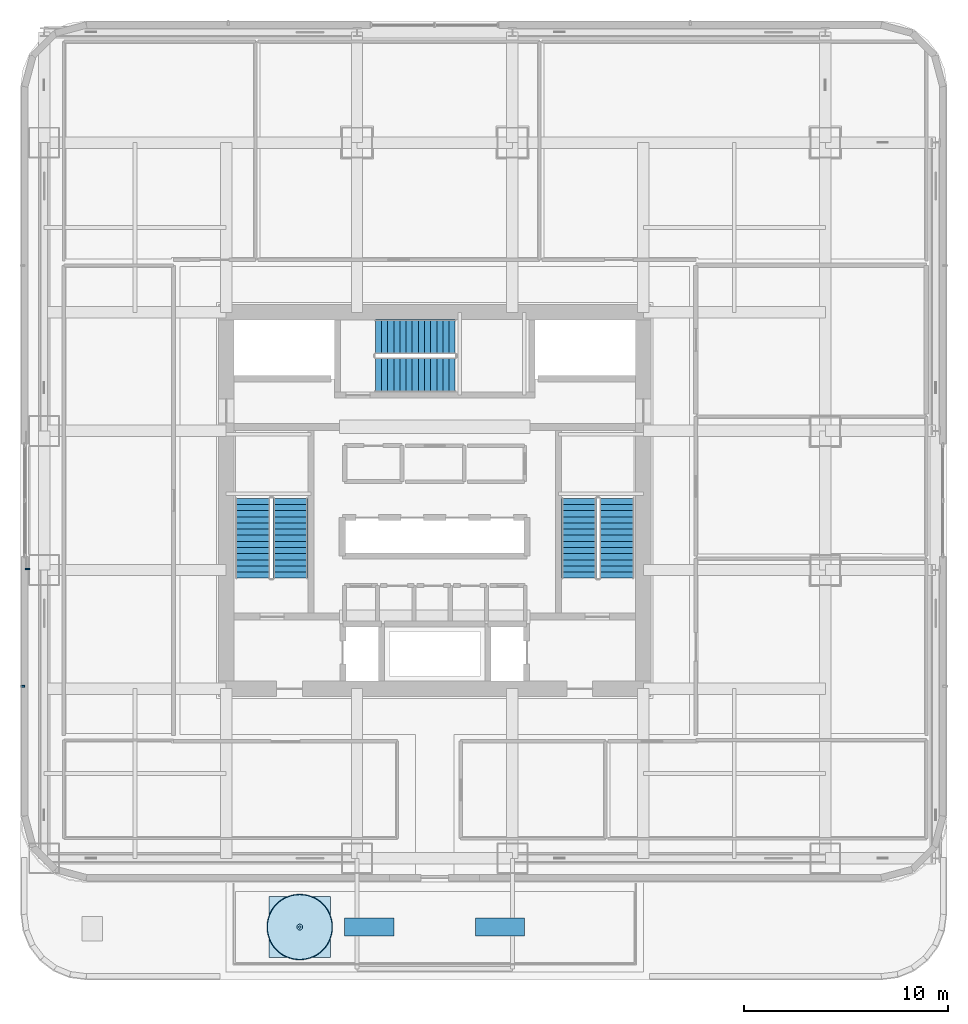
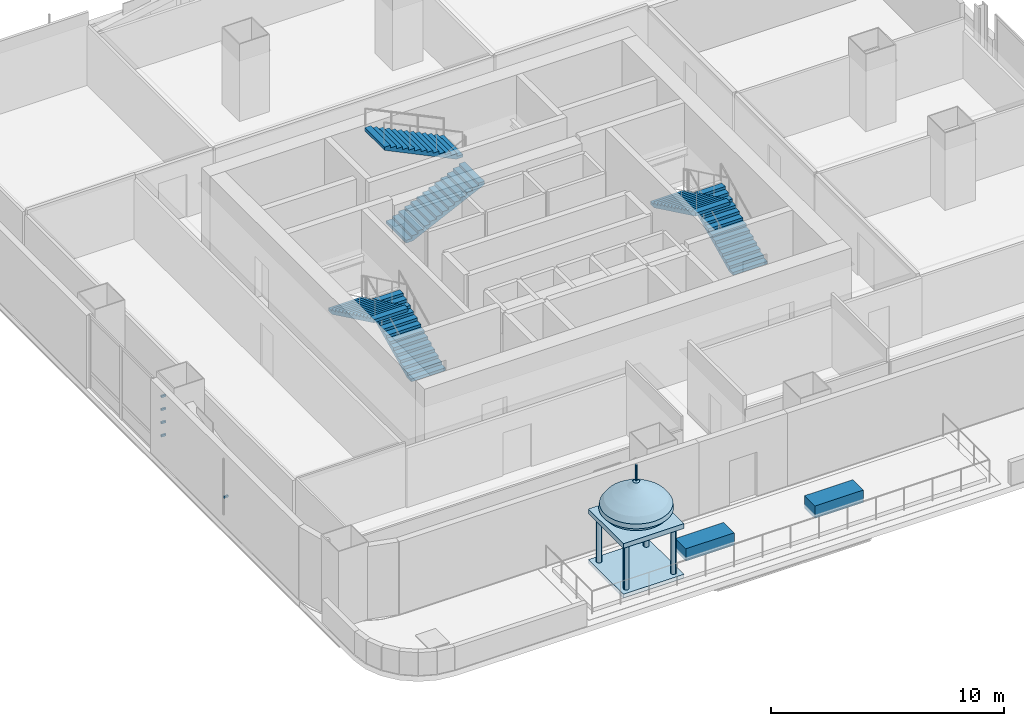
# One storey, part 14 of 28: 7 discrete accessories, 6 stair flights, 1 roof, 3 elements without a shape of their own.
"""IFC4 building model written with IfcOpenShell, lengths in metres."""

from ifc_helpers import new_model, entity, si_unit, direction, frame, origin, origin_2d, place, context, subcontext, project, spatial, polyline, rectangle, circle, outline, extrude, material, type_object, element, aggregate, save


model = new_model("IFC4")

# Units and contexts
model_context = context("Model", 3, precision=1e-05, world=origin(), true_north=direction((0.0, 1.0)))
body_context = subcontext(model_context, "Body", "Model", "MODEL_VIEW")
ifc_project = project(units=[si_unit("LENGTHUNIT", "METRE"), si_unit("AREAUNIT", "SQUARE_METRE"), si_unit("VOLUMEUNIT", "CUBIC_METRE"), si_unit("PLANEANGLEUNIT", "RADIAN"), si_unit("MASSUNIT", "GRAM", prefix="KILO")], contexts=[model_context])

# Site, building, storey
site_placement = place(None, origin())
site = spatial("IfcSite", under=ifc_project, at=site_placement, CompositionType="ELEMENT")
building_placement = place(site_placement, origin())
building = spatial("IfcBuilding", under=site, at=building_placement, Name="Punatoya Terracotta Tower", CompositionType="ELEMENT")
storey_placement = place(building_placement, frame((0.0, 0.0, 93.0)))
storey = spatial("IfcBuildingStorey", under=building, at=storey_placement, Name="L21", CompositionType="ELEMENT", Elevation=93.0)

# Stair, stair flights
ifc_material_1 = material(Name="Concrete C40/50", Category="concrete")
stair_type_1 = type_object("IfcStairType", Name="STR-CORE-1550", PredefinedType="HALF_TURN_STAIR", material=ifc_material_1)
stair_1_placement = place(storey_placement, origin())
stair_1 = element("IfcStair", 1, at=stair_1_placement, inside=storey, type_object=stair_type_1, Name="L21 Protected Core Exit Stair ST-1", PredefinedType="HALF_TURN_STAIR")
stair_flight_type_1 = type_object("IfcStairFlightType", Name="SFL-CORE-1550", PredefinedType="STRAIGHT", material=ifc_material_1)
stair_flight_1_placement = place(storey_placement, frame((-7.050048828125, -3.800048828125, 0.0), z_axis=(0.0, 0.0, 1.0), x_axis=(0.0, 1.0, 0.0)))
stair_flight_1 = element("IfcStairFlight", 2, at=stair_flight_1_placement, type_object=stair_flight_type_1, Name="ST-1 flight 1", NumberOfRisers=14, NumberOfTreads=13, PredefinedType="STRAIGHT", RiserHeight=0.144642857, TreadLength=0.3, context=body_context, shape_type="SweptSolid", body=[
    extrude(outline(polyline([(0.0, 0.0), (0.0, 0.14453125), (0.300048828125, 0.14453125), (0.300048828125, 0.289306640625), (0.60009765625, 0.289306640625), (0.60009765625, 0.433837890625), (0.89990234375, 0.433837890625), (0.89990234375, 0.57861328125), (1.199951171875, 0.57861328125), (1.199951171875, 0.72314453125), (1.5, 0.72314453125), (1.5, 0.867919921875), (1.800048828125, 0.867919921875), (1.800048828125, 1.012451171875), (2.10009765625, 1.012451171875), (2.10009765625, 1.1572265625), (2.39990234375, 1.1572265625), (2.39990234375, 1.3017578125), (2.699951171875, 1.3017578125), (2.699951171875, 1.446533203125), (3.0, 1.446533203125), (3.0, 1.591064453125), (3.300048828125, 1.591064453125), (3.300048828125, 1.735595703125), (3.60009765625, 1.735595703125), (3.60009765625, 1.88037109375), (3.89990234375, 1.88037109375), (3.89990234375, 2.02490234375), (3.89990234375, 1.7138671875), (0.34521484375, 0.0), (0.0, 0.0)])), frame((0.0, 0.85009765625, 0.0), z_axis=(0.0, -1.0, 0.0), x_axis=(1.0, 0.0, 0.0)), (0.0, 0.0, 1.0), 1.699951171875),
])
stair_flight_2_placement = place(storey_placement, frame((-8.89990234375, 0.10009765625, 2.02490234375), z_axis=(0.0, 0.0, 1.0), x_axis=(0.0, -1.0, 0.0)))
stair_flight_2 = element("IfcStairFlight", 3, at=stair_flight_2_placement, type_object=stair_flight_type_1, Name="ST-1 flight 2", NumberOfRisers=14, NumberOfTreads=13, PredefinedType="STRAIGHT", RiserHeight=0.144642857, TreadLength=0.3, context=body_context, shape_type="SweptSolid", body=[
    extrude(outline(polyline([(0.0, 0.0), (0.0, 0.14453125), (0.300048828125, 0.14453125), (0.300048828125, 0.289306640625), (0.60009765625, 0.289306640625), (0.60009765625, 0.433837890625), (0.89990234375, 0.433837890625), (0.89990234375, 0.57861328125), (1.199951171875, 0.57861328125), (1.199951171875, 0.72314453125), (1.5, 0.72314453125), (1.5, 0.867919921875), (1.800048828125, 0.867919921875), (1.800048828125, 1.012451171875), (2.10009765625, 1.012451171875), (2.10009765625, 1.1572265625), (2.39990234375, 1.1572265625), (2.39990234375, 1.3017578125), (2.699951171875, 1.3017578125), (2.699951171875, 1.446533203125), (3.0, 1.446533203125), (3.0, 1.591064453125), (3.300048828125, 1.591064453125), (3.300048828125, 1.735595703125), (3.60009765625, 1.735595703125), (3.60009765625, 1.88037109375), (3.89990234375, 1.88037109375), (3.89990234375, 2.02490234375), (3.89990234375, 1.7138671875), (0.34521484375, 0.0), (0.0, 0.0)])), frame((0.0, 0.85009765625, 0.0), z_axis=(0.0, -1.0, 0.0), x_axis=(1.0, 0.0, 0.0)), (0.0, 0.0, 1.0), 1.699951171875),
])
aggregate(stair_1, [stair_flight_1, stair_flight_2])

stair_type_2 = type_object("IfcStairType", Name="STR-LOB-1650", PredefinedType="HALF_TURN_STAIR", material=ifc_material_1)
stair_2_placement = place(storey_placement, origin())
stair_2 = element("IfcStair", 4, at=stair_2_placement, inside=storey, type_object=stair_type_2, Name="L21 Protected Core Exit Stair ST-2", PredefinedType="HALF_TURN_STAIR")
stair_flight_type_2 = type_object("IfcStairFlightType", Name="SFL-LOB-1650", PredefinedType="STRAIGHT", material=ifc_material_1)
stair_flight_3_placement = place(storey_placement, frame((8.89990234375, -3.800048828125, 0.0), z_axis=(0.0, 0.0, 1.0), x_axis=(0.0, 1.0, 0.0)))
stair_flight_3 = element("IfcStairFlight", 5, at=stair_flight_3_placement, type_object=stair_flight_type_2, Name="ST-2 flight 1", NumberOfRisers=14, NumberOfTreads=13, PredefinedType="STRAIGHT", RiserHeight=0.144642857, TreadLength=0.3, context=body_context, shape_type="SweptSolid", body=[
    extrude(outline(polyline([(0.0, 0.0), (0.0, 0.14453125), (0.300048828125, 0.14453125), (0.300048828125, 0.289306640625), (0.60009765625, 0.289306640625), (0.60009765625, 0.433837890625), (0.89990234375, 0.433837890625), (0.89990234375, 0.57861328125), (1.199951171875, 0.57861328125), (1.199951171875, 0.72314453125), (1.5, 0.72314453125), (1.5, 0.867919921875), (1.800048828125, 0.867919921875), (1.800048828125, 1.012451171875), (2.10009765625, 1.012451171875), (2.10009765625, 1.1572265625), (2.39990234375, 1.1572265625), (2.39990234375, 1.3017578125), (2.699951171875, 1.3017578125), (2.699951171875, 1.446533203125), (3.0, 1.446533203125), (3.0, 1.591064453125), (3.300048828125, 1.591064453125), (3.300048828125, 1.735595703125), (3.60009765625, 1.735595703125), (3.60009765625, 1.88037109375), (3.89990234375, 1.88037109375), (3.89990234375, 2.02490234375), (3.89990234375, 1.7138671875), (0.34521484375, 0.0), (0.0, 0.0)])), frame((0.0, 0.85009765625, 0.0), z_axis=(0.0, -1.0, 0.0), x_axis=(1.0, 0.0, 0.0)), (0.0, 0.0, 1.0), 1.699951171875),
])
stair_flight_4_placement = place(storey_placement, frame((7.050048828125, 0.10009765625, 2.02490234375), z_axis=(0.0, 0.0, 1.0), x_axis=(0.0, -1.0, 0.0)))
stair_flight_4 = element("IfcStairFlight", 6, at=stair_flight_4_placement, type_object=stair_flight_type_2, Name="ST-2 flight 2", NumberOfRisers=14, NumberOfTreads=13, PredefinedType="STRAIGHT", RiserHeight=0.144642857, TreadLength=0.3, context=body_context, shape_type="SweptSolid", body=[
    extrude(outline(polyline([(0.0, 0.0), (0.0, 0.14453125), (0.300048828125, 0.14453125), (0.300048828125, 0.289306640625), (0.60009765625, 0.289306640625), (0.60009765625, 0.433837890625), (0.89990234375, 0.433837890625), (0.89990234375, 0.57861328125), (1.199951171875, 0.57861328125), (1.199951171875, 0.72314453125), (1.5, 0.72314453125), (1.5, 0.867919921875), (1.800048828125, 0.867919921875), (1.800048828125, 1.012451171875), (2.10009765625, 1.012451171875), (2.10009765625, 1.1572265625), (2.39990234375, 1.1572265625), (2.39990234375, 1.3017578125), (2.699951171875, 1.3017578125), (2.699951171875, 1.446533203125), (3.0, 1.446533203125), (3.0, 1.591064453125), (3.300048828125, 1.591064453125), (3.300048828125, 1.735595703125), (3.60009765625, 1.735595703125), (3.60009765625, 1.88037109375), (3.89990234375, 1.88037109375), (3.89990234375, 2.02490234375), (3.89990234375, 1.7138671875), (0.34521484375, 0.0), (0.0, 0.0)])), frame((0.0, 0.85009765625, 0.0), z_axis=(0.0, -1.0, 0.0), x_axis=(1.0, 0.0, 0.0)), (0.0, 0.0, 1.0), 1.699951171875),
])
aggregate(stair_2, [stair_flight_3, stair_flight_4])

stair_type_3 = type_object("IfcStairType", Name="STR-TER-1450", PredefinedType="HALF_TURN_STAIR", material=ifc_material_1)
stair_3_placement = place(storey_placement, origin())
stair_3 = element("IfcStair", 7, at=stair_3_placement, inside=storey, type_object=stair_type_3, Name="L21 Protected Core Exit Stair ST-3", PredefinedType="HALF_TURN_STAIR")
stair_flight_type_3 = type_object("IfcStairFlightType", Name="SFL-TER-1450", PredefinedType="STRAIGHT", material=ifc_material_1)
stair_flight_5_placement = place(storey_placement, frame((-2.89990234375, 6.14990234375, 0.0), z_axis=(0.0, 0.0, 1.0), x_axis=(1.0, 0.0, 0.0)))
stair_flight_5 = element("IfcStairFlight", 8, at=stair_flight_5_placement, type_object=stair_flight_type_3, Name="ST-3 flight 1", NumberOfRisers=14, NumberOfTreads=13, PredefinedType="STRAIGHT", RiserHeight=0.144642857, TreadLength=0.3, context=body_context, shape_type="SweptSolid", body=[
    extrude(outline(polyline([(0.0, 0.0), (0.0, 0.14453125), (0.300048828125, 0.14453125), (0.300048828125, 0.289306640625), (0.60009765625, 0.289306640625), (0.60009765625, 0.433837890625), (0.89990234375, 0.433837890625), (0.89990234375, 0.57861328125), (1.199951171875, 0.57861328125), (1.199951171875, 0.72314453125), (1.5, 0.72314453125), (1.5, 0.867919921875), (1.800048828125, 0.867919921875), (1.800048828125, 1.012451171875), (2.10009765625, 1.012451171875), (2.10009765625, 1.1572265625), (2.39990234375, 1.1572265625), (2.39990234375, 1.3017578125), (2.699951171875, 1.3017578125), (2.699951171875, 1.446533203125), (3.0, 1.446533203125), (3.0, 1.591064453125), (3.300048828125, 1.591064453125), (3.300048828125, 1.735595703125), (3.60009765625, 1.735595703125), (3.60009765625, 1.88037109375), (3.89990234375, 1.88037109375), (3.89990234375, 2.02490234375), (3.89990234375, 1.7138671875), (0.34521484375, 0.0), (0.0, 0.0)])), frame((0.0, 0.85009765625, 0.0), z_axis=(0.0, -1.0, 0.0), x_axis=(1.0, 0.0, 0.0)), (0.0, 0.0, 1.0), 1.699951171875),
])
stair_flight_6_placement = place(storey_placement, frame((1.0, 8.0, 2.02490234375), z_axis=(0.0, 0.0, 1.0), x_axis=(-1.0, 0.0, 0.0)))
stair_flight_6 = element("IfcStairFlight", 9, at=stair_flight_6_placement, type_object=stair_flight_type_3, Name="ST-3 flight 2", NumberOfRisers=14, NumberOfTreads=13, PredefinedType="STRAIGHT", RiserHeight=0.144642857, TreadLength=0.3, context=body_context, shape_type="SweptSolid", body=[
    extrude(outline(polyline([(0.0, 0.0), (0.0, 0.14453125), (0.300048828125, 0.14453125), (0.300048828125, 0.289306640625), (0.60009765625, 0.289306640625), (0.60009765625, 0.433837890625), (0.89990234375, 0.433837890625), (0.89990234375, 0.57861328125), (1.199951171875, 0.57861328125), (1.199951171875, 0.72314453125), (1.5, 0.72314453125), (1.5, 0.867919921875), (1.800048828125, 0.867919921875), (1.800048828125, 1.012451171875), (2.10009765625, 1.012451171875), (2.10009765625, 1.1572265625), (2.39990234375, 1.1572265625), (2.39990234375, 1.3017578125), (2.699951171875, 1.3017578125), (2.699951171875, 1.446533203125), (3.0, 1.446533203125), (3.0, 1.591064453125), (3.300048828125, 1.591064453125), (3.300048828125, 1.735595703125), (3.60009765625, 1.735595703125), (3.60009765625, 1.88037109375), (3.89990234375, 1.88037109375), (3.89990234375, 2.02490234375), (3.89990234375, 1.7138671875), (0.34521484375, 0.0), (0.0, 0.0)])), frame((0.0, 0.85009765625, 0.0), z_axis=(0.0, -1.0, 0.0), x_axis=(1.0, 0.0, 0.0)), (0.0, 0.0, 1.0), 1.699951171875),
])
aggregate(stair_3, [stair_flight_5, stair_flight_6])

# Roof
ifc_material_2 = material(Name="Architectural Fired Terracotta", Category="masonry")
roof_type = type_object("IfcRoofType", Name="ROF-CHH-2600", PredefinedType="DOME_ROOF", material=ifc_material_2)
roof_placement = place(storey_placement, frame((-6.60009765625, -20.860107421875, 0.0), z_axis=(0.0, 0.0, 1.0), x_axis=(1.0, 0.0, 0.0)))
cartesian_point = entity("IfcCartesianPoint", [0.0, 0.0])
element("IfcRoof", 10, at=roof_placement, inside=storey, type_object=roof_type, Name="L21 Sky Terrace Pavilion (Chhatri) CH-05", PredefinedType="DOME_ROOF", context=body_context, shape_type="SweptSolid", body=[
    extrude(rectangle(XDim=3.0, YDim=3.0, at=origin_2d()), origin(), (0.0, 0.0, 1.0), 0.199951171875),
    extrude(circle(Radius=0.1298828125, at=origin_2d()), frame((-1.169921875, -1.169921875, 0.199951171875)), (0.0, 0.0, 1.0), 2.39990234375),
    extrude(circle(Radius=0.1298828125, at=origin_2d()), frame((1.169921875, -1.169921875, 0.199951171875)), (0.0, 0.0, 1.0), 2.39990234375),
    extrude(circle(Radius=0.1298828125, at=origin_2d()), frame((1.169921875, 1.169921875, 0.199951171875)), (0.0, 0.0, 1.0), 2.39990234375),
    extrude(circle(Radius=0.1298828125, at=origin_2d()), frame((-1.169921875, 1.169921875, 0.199951171875)), (0.0, 0.0, 1.0), 2.39990234375),
    extrude(rectangle(XDim=3.0, YDim=3.0, at=origin_2d()), frame((0.0, 0.0, 2.599853515625)), (0.0, 0.0, 1.0), 0.25),
    entity("IfcRevolvedAreaSolid", entity("IfcArbitraryClosedProfileDef", "AREA", None, entity("IfcPolyline", [cartesian_point, entity("IfcCartesianPoint", [1.06396484375, 0.0]), entity("IfcCartesianPoint", [1.16064453125, 0.094970703125]), entity("IfcCartesianPoint", [1.418701171875, 0.2470703125]), entity("IfcCartesianPoint", [1.612060546875, 0.47509765625]), entity("IfcCartesianPoint", [1.579833984375, 0.702880859375]), entity("IfcCartesianPoint", [1.386474609375, 0.968994140625]), entity("IfcCartesianPoint", [1.03173828125, 1.23486328125]), entity("IfcCartesianPoint", [0.677001953125, 1.462890625]), entity("IfcCartesianPoint", [0.386962890625, 1.634033203125]), entity("IfcCartesianPoint", [0.2255859375, 1.766845703125]), entity("IfcCartesianPoint", [0.14501953125, 1.843017578125]), entity("IfcCartesianPoint", [0.0, 1.89990234375]), cartesian_point])), entity("IfcAxis2Placement3D", entity("IfcCartesianPoint", [0.0, 0.0, 2.849853515625]), entity("IfcDirection", [0.0, -1.0, 0.0]), entity("IfcDirection", [1.0, 0.0, 0.0])), entity("IfcAxis1Placement", entity("IfcCartesianPoint", [0.0, 0.0, 0.0]), entity("IfcDirection", [0.0, 1.0, 0.0])), 6.283185307179586),
    extrude(circle(Radius=0.06005859375, at=origin_2d()), frame((0.0, 0.0, 4.749755859375)), (0.0, 0.0, 1.0), 0.800048828125),
])

# Discrete accessories
ifc_material_3 = material(Name="Steel S355", Category="steel")
discrete_accessory_type_1 = type_object("IfcDiscreteAccessoryType", Name="ACC-BRK-220", PredefinedType="BRACKET", material=ifc_material_3)
for number, where, z_axis, x_axis, name in (
    (11, (-20.14990234375, -9.093505859375, 1.449951171875), (0.0, 0.0, 1.0), (0.0, -1.0, 0.0), "L21 Jali Fin Support Bracket W2"),
    (12, (-19.919921875, -3.35009765625, 1.099853515625), (0.0, 0.0, 1.0), (0.0, 1.0, 0.0), "L21 Baguette Louvre Column Bracket BAG-L21-W-01"),
    (13, (-19.919921875, -3.35009765625, 1.78662109375), (0.0, 0.0, 1.0), (0.0, 1.0, 0.0), "L21 Baguette Louvre Column Bracket BAG-L21-W-02"),
    (14, (-19.919921875, -3.35009765625, 2.47314453125), (0.0, 0.0, 1.0), (0.0, 1.0, 0.0), "L21 Baguette Louvre Column Bracket BAG-L21-W-03"),
    (15, (-19.919921875, -3.35009765625, 3.159912109375), (0.0, 0.0, 1.0), (0.0, 1.0, 0.0), "L21 Baguette Louvre Column Bracket BAG-L21-W-04"),
):
    element("IfcDiscreteAccessory", number, at=place(storey_placement, frame(where, z_axis=z_axis, x_axis=x_axis)), inside=storey, type_object=discrete_accessory_type_1, Name=name, PredefinedType="BRACKET", context=body_context, shape_type="SweptSolid", body=[
        extrude(rectangle(XDim=0.090087890625, YDim=0.219970703125, at=origin_2d()), origin(), (0.0, 0.0, 1.0), 0.10009765625),
    ])
ifc_material_4 = material(Name="Architectural Terracotta Planter + Green Soil", Category="masonry")
discrete_accessory_type_2 = type_object("IfcDiscreteAccessoryType", Name="ACC-PLANTER", PredefinedType="USERDEFINED", material=ifc_material_4)
for number, where, z_axis, x_axis, name in (
    (16, (-3.199951171875, -20.860107421875, 0.0), (0.0, 0.0, 1.0), (1.0, 0.0, 0.0), "L21 Planted Terracotta Sky-Garden Planter 1"),
    (17, (3.199951171875, -20.860107421875, 0.0), (0.0, 0.0, 1.0), (1.0, 0.0, 0.0), "L21 Planted Terracotta Sky-Garden Planter 2"),
):
    element("IfcDiscreteAccessory", number, at=place(storey_placement, frame(where, z_axis=z_axis, x_axis=x_axis)), inside=storey, type_object=discrete_accessory_type_2, Name=name, ObjectType="PLANTER", PredefinedType="USERDEFINED", context=body_context, shape_type="SweptSolid", body=[
        extrude(rectangle(XDim=2.39990234375, YDim=0.89990234375, at=origin_2d()), origin(), (0.0, 0.0, 1.0), 0.64990234375),
    ])

save(model, "model.ifc")
